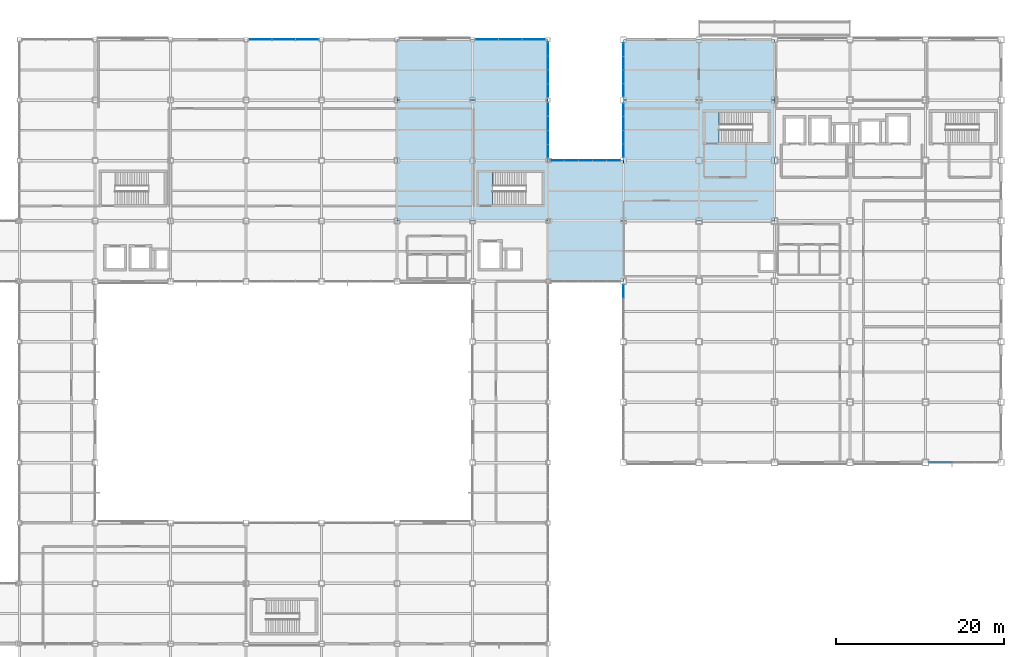
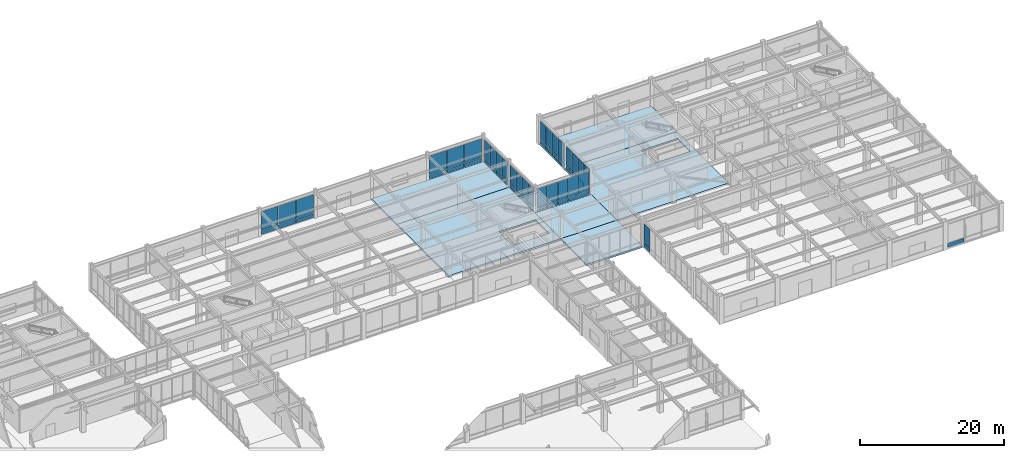
# One storey, part 85 of 112: 57 plates, 6 slabs, 9 elements without a shape of their own.
"""IFC4 building model written with IfcOpenShell, lengths in metres."""

from ifc_helpers import new_model, si_unit, direction, frame, origin, origin_2d, place, context, subcontext, project, spatial, polyline, rectangle, outline, extrude, material, layer, layer_set, type_object, element, aggregate, save


model = new_model("IFC4")

# Units and contexts
model_context = context("Model", 3, precision=1e-05, world=origin(), true_north=direction((0.0, 1.0)))
body_context = subcontext(model_context, "Body", "Model", "MODEL_VIEW")
ifc_project = project(units=[si_unit("LENGTHUNIT", "METRE"), si_unit("AREAUNIT", "SQUARE_METRE"), si_unit("VOLUMEUNIT", "CUBIC_METRE"), si_unit("PLANEANGLEUNIT", "RADIAN"), si_unit("MASSUNIT", "GRAM", prefix="KILO")], contexts=[model_context])

# Site, building, storey
site_placement = place(None, origin())
site = spatial("IfcSite", under=ifc_project, at=site_placement, CompositionType="ELEMENT")
building_placement = place(site_placement, origin())
building = spatial("IfcBuilding", under=site, at=building_placement, Name="Kazanami Central Library", CompositionType="ELEMENT")
storey_placement = place(building_placement, origin())
storey = spatial("IfcBuildingStorey", under=building, at=storey_placement, Name="L01", CompositionType="ELEMENT", Elevation=0.0)

# Curtain wall, plates
ifc_material_1 = material(Name="Acid-Etched Low-E Laminated Glass", Category="glass")
curtain_wall_type_1 = type_object("IfcCurtainWallType", Name="CW-8500x4055-M275", PredefinedType="USERDEFINED", material=ifc_material_1)
curtain_wall_1_placement = place(storey_placement, origin())
curtain_wall_1 = element("IfcCurtainWall", 1, at=curtain_wall_1_placement, inside=storey, type_object=curtain_wall_type_1, Name="Unitised Curtain Wall CW-07 L01 N-O-08", ObjectType="UNITISED CURTAIN WALL", PredefinedType="USERDEFINED")
ifc_layer_1 = layer(ifc_material_1, 0.035888671875, Name="Acid-Etched Low-E Laminated Glass")
ifc_layer_set_1 = layer_set([ifc_layer_1], Name="Acid-Etched Low-E Laminated Glass")
plate_type_1 = type_object("IfcPlateType", Name="PLT-CW-P1", PredefinedType="CURTAIN_PANEL", material=ifc_layer_set_1)
plate_1_placement = place(storey_placement, frame((79.31591796875, 93.60009765625, 0.81494140625), z_axis=(0.0, 0.0, 1.0), x_axis=(-1.0, 0.0, 0.0)))
plate_1 = element("IfcPlate", 2, at=plate_1_placement, type_object=plate_type_1, Name="CW-07 panel 1.2", PredefinedType="CURTAIN_PANEL", context=body_context, shape_type="SweptSolid", body=[
    extrude(rectangle(XDim=2.728271484375, YDim=0.035888671875, at=origin_2d()), origin(), (0.0, 0.0, 1.0), 3.169921875),
])
plate_2_placement = place(storey_placement, frame((76.5, 93.60009765625, 0.81494140625), z_axis=(0.0, 0.0, 1.0), x_axis=(-1.0, 0.0, 0.0)))
plate_2 = element("IfcPlate", 3, at=plate_2_placement, type_object=plate_type_1, Name="CW-07 panel 2.2", PredefinedType="CURTAIN_PANEL", context=body_context, shape_type="SweptSolid", body=[
    extrude(rectangle(XDim=2.763427734375, YDim=0.035888671875, at=origin_2d()), origin(), (0.0, 0.0, 1.0), 3.169921875),
])
plate_3_placement = place(storey_placement, frame((73.68408203125, 93.60009765625, 0.81494140625), z_axis=(0.0, 0.0, 1.0), x_axis=(-1.0, 0.0, 0.0)))
plate_3 = element("IfcPlate", 4, at=plate_3_placement, type_object=plate_type_1, Name="CW-07 panel 3.2", PredefinedType="CURTAIN_PANEL", context=body_context, shape_type="SweptSolid", body=[
    extrude(rectangle(XDim=2.728271484375, YDim=0.035888671875, at=origin_2d()), origin(), (0.0, 0.0, 1.0), 3.169921875),
])

curtain_wall_2_placement = place(storey_placement, origin())
curtain_wall_2 = element("IfcCurtainWall", 5, at=curtain_wall_2_placement, inside=storey, type_object=curtain_wall_type_1, Name="Unitised Curtain Wall CW-07 L01 N-O-11", ObjectType="UNITISED CURTAIN WALL", PredefinedType="USERDEFINED")
ifc_layer_2 = layer(ifc_material_1, 0.0439453125, Name="Acid-Etched Low-E Laminated Glass")
ifc_layer_set_2 = layer_set([ifc_layer_2], Name="Acid-Etched Low-E Laminated Glass")
plate_type_2 = type_object("IfcPlateType", Name="PLT-CW-P2", PredefinedType="CURTAIN_PANEL", material=ifc_layer_set_2)
plate_4_placement = place(storey_placement, frame((106.31591796875, 93.60009765625, 0.81494140625), z_axis=(0.0, 0.0, 1.0), x_axis=(-1.0, 0.0, 0.0)))
plate_4 = element("IfcPlate", 6, at=plate_4_placement, type_object=plate_type_2, Name="CW-07 panel 1.2", PredefinedType="CURTAIN_PANEL", context=body_context, shape_type="SweptSolid", body=[
    extrude(rectangle(XDim=2.728271484375, YDim=0.0439453125, at=origin_2d()), origin(), (0.0, 0.0, 1.0), 3.169921875),
])
plate_5_placement = place(storey_placement, frame((103.5, 93.60009765625, 0.81494140625), z_axis=(0.0, 0.0, 1.0), x_axis=(-1.0, 0.0, 0.0)))
plate_5 = element("IfcPlate", 7, at=plate_5_placement, type_object=plate_type_2, Name="CW-07 panel 2.2", PredefinedType="CURTAIN_PANEL", context=body_context, shape_type="SweptSolid", body=[
    extrude(rectangle(XDim=2.763427734375, YDim=0.0439453125, at=origin_2d()), origin(), (0.0, 0.0, 1.0), 3.169921875),
])
plate_6_placement = place(storey_placement, frame((100.68408203125, 93.60009765625, 0.81494140625), z_axis=(0.0, 0.0, 1.0), x_axis=(-1.0, 0.0, 0.0)))
plate_6 = element("IfcPlate", 8, at=plate_6_placement, type_object=plate_type_2, Name="CW-07 panel 3.2", PredefinedType="CURTAIN_PANEL", context=body_context, shape_type="SweptSolid", body=[
    extrude(rectangle(XDim=2.728271484375, YDim=0.0439453125, at=origin_2d()), origin(), (0.0, 0.0, 1.0), 3.169921875),
])

curtain_wall_type_2 = type_object("IfcCurtainWallType", Name="CW-8400x4055-M180", PredefinedType="USERDEFINED", material=ifc_material_1)
curtain_wall_3_placement = place(storey_placement, origin())
curtain_wall_3 = element("IfcCurtainWall", 9, at=curtain_wall_3_placement, inside=storey, type_object=curtain_wall_type_2, Name="Covered Link Bridge Curtain Wall CW-06 L01 N-M-12", ObjectType="UNITISED CURTAIN WALL", PredefinedType="USERDEFINED")
ifc_material_2 = material(Name="Low-E Insulated Triple Glass", Category="glass")
ifc_layer_3 = layer(ifc_material_2, 0.0400390625, Name="Low-E Insulated Triple Glass")
ifc_layer_set_3 = layer_set([ifc_layer_3], Name="Low-E Insulated Triple Glass")
plate_type_3 = type_object("IfcPlateType", Name="PLT-CW-P3", PredefinedType="CURTAIN_PANEL", material=ifc_layer_set_3)
plate_7_placement = place(storey_placement, frame((115.794921875, 79.199951171875, 0.81005859375), z_axis=(0.0, 0.0, 1.0), x_axis=(-1.0, 0.0, 0.0)))
plate_7 = element("IfcPlate", 10, at=plate_7_placement, type_object=plate_type_3, Name="CW-06 panel 1.2", PredefinedType="CURTAIN_PANEL", context=body_context, shape_type="SweptSolid", body=[
    extrude(rectangle(XDim=1.590087890625, YDim=0.0400390625, at=origin_2d()), origin(), (0.0, 0.0, 1.0), 3.18505859375),
])
plate_8_placement = place(storey_placement, frame((114.1298828125, 79.199951171875, 0.81005859375), z_axis=(0.0, 0.0, 1.0), x_axis=(-1.0, 0.0, 0.0)))
plate_8 = element("IfcPlate", 11, at=plate_8_placement, type_object=plate_type_3, Name="CW-06 panel 2.2", PredefinedType="CURTAIN_PANEL", context=body_context, shape_type="SweptSolid", body=[
    extrude(rectangle(XDim=1.6201171875, YDim=0.0400390625, at=origin_2d()), origin(), (0.0, 0.0, 1.0), 3.18505859375),
])
plate_9_placement = place(storey_placement, frame((112.449951171875, 79.199951171875, 0.81005859375), z_axis=(0.0, 0.0, 1.0), x_axis=(-1.0, 0.0, 0.0)))
plate_9 = element("IfcPlate", 12, at=plate_9_placement, type_object=plate_type_3, Name="CW-06 panel 3.2", PredefinedType="CURTAIN_PANEL", context=body_context, shape_type="SweptSolid", body=[
    extrude(rectangle(XDim=1.6201171875, YDim=0.0400390625, at=origin_2d()), origin(), (0.0, 0.0, 1.0), 3.18505859375),
])
plate_10_placement = place(storey_placement, frame((110.77001953125, 79.199951171875, 0.81005859375), z_axis=(0.0, 0.0, 1.0), x_axis=(-1.0, 0.0, 0.0)))
plate_10 = element("IfcPlate", 13, at=plate_10_placement, type_object=plate_type_3, Name="CW-06 panel 4.2", PredefinedType="CURTAIN_PANEL", context=body_context, shape_type="SweptSolid", body=[
    extrude(rectangle(XDim=1.6201171875, YDim=0.0400390625, at=origin_2d()), origin(), (0.0, 0.0, 1.0), 3.18505859375),
])
plate_11_placement = place(storey_placement, frame((109.10498046875, 79.199951171875, 0.81005859375), z_axis=(0.0, 0.0, 1.0), x_axis=(-1.0, 0.0, 0.0)))
plate_11 = element("IfcPlate", 14, at=plate_11_placement, type_object=plate_type_3, Name="CW-06 panel 5.2", PredefinedType="CURTAIN_PANEL", context=body_context, shape_type="SweptSolid", body=[
    extrude(rectangle(XDim=1.590087890625, YDim=0.0400390625, at=origin_2d()), origin(), (0.0, 0.0, 1.0), 3.18505859375),
])

curtain_wall_type_3 = type_object("IfcCurtainWallType", Name="CW-6700x4055-M180", PredefinedType="USERDEFINED", material=ifc_material_1)
curtain_wall_4_placement = place(storey_placement, origin())
curtain_wall_4 = element("IfcCurtainWall", 15, at=curtain_wall_4_placement, inside=storey, type_object=curtain_wall_type_3, Name="Covered Link Bridge Curtain Wall CW-09 L01 E-13-11", ObjectType="UNITISED CURTAIN WALL", PredefinedType="USERDEFINED")
plate_12_placement = place(storey_placement, frame((108.0, 85.294921875, 0.81494140625), z_axis=(0.0, 0.0, 1.0), x_axis=(0.0, -1.0, 0.0)))
plate_12 = element("IfcPlate", 16, at=plate_12_placement, type_object=plate_type_3, Name="CW-09 panel 1.2", PredefinedType="CURTAIN_PANEL", context=body_context, shape_type="SweptSolid", body=[
    extrude(rectangle(XDim=1.570068359375, YDim=0.0400390625, at=origin_2d()), origin(), (0.0, 0.0, 1.0), 3.169921875),
])
plate_13_placement = place(storey_placement, frame((108.0, 83.637451171875, 0.81494140625), z_axis=(0.0, 0.0, 1.0), x_axis=(0.0, -1.0, 0.0)))
plate_13 = element("IfcPlate", 17, at=plate_13_placement, type_object=plate_type_3, Name="CW-09 panel 2.2", PredefinedType="CURTAIN_PANEL", context=body_context, shape_type="SweptSolid", body=[
    extrude(rectangle(XDim=1.60498046875, YDim=0.0400390625, at=origin_2d()), origin(), (0.0, 0.0, 1.0), 3.169921875),
])
plate_14_placement = place(storey_placement, frame((108.0, 81.96240234375, 0.81494140625), z_axis=(0.0, 0.0, 1.0), x_axis=(0.0, -1.0, 0.0)))
plate_14 = element("IfcPlate", 18, at=plate_14_placement, type_object=plate_type_3, Name="CW-09 panel 3.2", PredefinedType="CURTAIN_PANEL", context=body_context, shape_type="SweptSolid", body=[
    extrude(rectangle(XDim=1.60498046875, YDim=0.0400390625, at=origin_2d()), origin(), (0.0, 0.0, 1.0), 3.169921875),
])
plate_15_placement = place(storey_placement, frame((108.0, 80.304931640625, 0.81494140625), z_axis=(0.0, 0.0, 1.0), x_axis=(0.0, -1.0, 0.0)))
plate_15 = element("IfcPlate", 19, at=plate_15_placement, type_object=plate_type_3, Name="CW-09 panel 4.2", PredefinedType="CURTAIN_PANEL", context=body_context, shape_type="SweptSolid", body=[
    extrude(rectangle(XDim=1.570068359375, YDim=0.0400390625, at=origin_2d()), origin(), (0.0, 0.0, 1.0), 3.169921875),
])

curtain_wall_5_placement = place(storey_placement, origin())
curtain_wall_5 = element("IfcCurtainWall", 20, at=curtain_wall_5_placement, inside=storey, type_object=curtain_wall_type_3, Name="Covered Link Bridge Curtain Wall CW-09 L01 E-13-12", ObjectType="UNITISED CURTAIN WALL", PredefinedType="USERDEFINED")
plate_16_placement = place(storey_placement, frame((108.0, 92.4951171875, 0.81494140625), z_axis=(0.0, 0.0, 1.0), x_axis=(0.0, -1.0, 0.0)))
plate_16 = element("IfcPlate", 21, at=plate_16_placement, type_object=plate_type_3, Name="CW-09 panel 1.2", PredefinedType="CURTAIN_PANEL", context=body_context, shape_type="SweptSolid", body=[
    extrude(rectangle(XDim=1.570068359375, YDim=0.0400390625, at=origin_2d()), origin(), (0.0, 0.0, 1.0), 3.169921875),
])
plate_17_placement = place(storey_placement, frame((108.0, 90.83740234375, 0.81494140625), z_axis=(0.0, 0.0, 1.0), x_axis=(0.0, -1.0, 0.0)))
plate_17 = element("IfcPlate", 22, at=plate_17_placement, type_object=plate_type_3, Name="CW-09 panel 2.2", PredefinedType="CURTAIN_PANEL", context=body_context, shape_type="SweptSolid", body=[
    extrude(rectangle(XDim=1.60498046875, YDim=0.0400390625, at=origin_2d()), origin(), (0.0, 0.0, 1.0), 3.169921875),
])
plate_18_placement = place(storey_placement, frame((108.0, 89.16259765625, 0.81494140625), z_axis=(0.0, 0.0, 1.0), x_axis=(0.0, -1.0, 0.0)))
plate_18 = element("IfcPlate", 23, at=plate_18_placement, type_object=plate_type_3, Name="CW-09 panel 3.2", PredefinedType="CURTAIN_PANEL", context=body_context, shape_type="SweptSolid", body=[
    extrude(rectangle(XDim=1.60498046875, YDim=0.0400390625, at=origin_2d()), origin(), (0.0, 0.0, 1.0), 3.169921875),
])
plate_19_placement = place(storey_placement, frame((108.0, 87.5048828125, 0.81494140625), z_axis=(0.0, 0.0, 1.0), x_axis=(0.0, -1.0, 0.0)))
plate_19 = element("IfcPlate", 24, at=plate_19_placement, type_object=plate_type_3, Name="CW-09 panel 4.2", PredefinedType="CURTAIN_PANEL", context=body_context, shape_type="SweptSolid", body=[
    extrude(rectangle(XDim=1.570068359375, YDim=0.0400390625, at=origin_2d()), origin(), (0.0, 0.0, 1.0), 3.169921875),
])

# Curtain wall, plate
curtain_wall_type_4 = type_object("IfcCurtainWallType", Name="CW-6500x4055-M180", PredefinedType="USERDEFINED", material=ifc_material_1)
curtain_wall_6_placement = place(storey_placement, origin())
curtain_wall_6 = element("IfcCurtainWall", 25, at=curtain_wall_6_placement, inside=storey, type_object=curtain_wall_type_4, Name="Covered Link Bridge Curtain Wall CW-11 L01 W-14-08", ObjectType="UNITISED CURTAIN WALL", PredefinedType="USERDEFINED")
plate_20_placement = place(storey_placement, frame((117.0, 63.62255859375, 0.81005859375), z_axis=(0.0, 0.0, 1.0), x_axis=(0.0, 1.0, 0.0)))
plate_20 = element("IfcPlate", 26, at=plate_20_placement, type_object=plate_type_3, Name="CW-11 panel 4.2", PredefinedType="CURTAIN_PANEL", context=body_context, shape_type="SweptSolid", body=[
    extrude(rectangle(XDim=1.534912109375, YDim=0.0400390625, at=origin_2d()), origin(), (0.0, 0.0, 1.0), 3.18505859375),
])

# Curtain wall, plates
curtain_wall_7_placement = place(storey_placement, origin())
curtain_wall_7 = element("IfcCurtainWall", 27, at=curtain_wall_7_placement, inside=storey, type_object=curtain_wall_type_4, Name="Covered Link Bridge Curtain Wall CW-11 L01 W-14-11", ObjectType="UNITISED CURTAIN WALL", PredefinedType="USERDEFINED")
plate_21_placement = place(storey_placement, frame((117.0, 80.37744140625, 0.81005859375), z_axis=(0.0, 0.0, 1.0), x_axis=(0.0, 1.0, 0.0)))
plate_21 = element("IfcPlate", 28, at=plate_21_placement, type_object=plate_type_3, Name="CW-11 panel 1.2", PredefinedType="CURTAIN_PANEL", context=body_context, shape_type="SweptSolid", body=[
    extrude(rectangle(XDim=1.534912109375, YDim=0.0400390625, at=origin_2d()), origin(), (0.0, 0.0, 1.0), 3.18505859375),
])
plate_22_placement = place(storey_placement, frame((117.0, 81.987548828125, 0.81005859375), z_axis=(0.0, 0.0, 1.0), x_axis=(0.0, 1.0, 0.0)))
plate_22 = element("IfcPlate", 29, at=plate_22_placement, type_object=plate_type_3, Name="CW-11 panel 2.2", PredefinedType="CURTAIN_PANEL", context=body_context, shape_type="SweptSolid", body=[
    extrude(rectangle(XDim=1.56494140625, YDim=0.0400390625, at=origin_2d()), origin(), (0.0, 0.0, 1.0), 3.18505859375),
])
plate_23_placement = place(storey_placement, frame((117.0, 83.612548828125, 0.81005859375), z_axis=(0.0, 0.0, 1.0), x_axis=(0.0, 1.0, 0.0)))
plate_23 = element("IfcPlate", 30, at=plate_23_placement, type_object=plate_type_3, Name="CW-11 panel 3.2", PredefinedType="CURTAIN_PANEL", context=body_context, shape_type="SweptSolid", body=[
    extrude(rectangle(XDim=1.56494140625, YDim=0.0400390625, at=origin_2d()), origin(), (0.0, 0.0, 1.0), 3.18505859375),
])
plate_24_placement = place(storey_placement, frame((117.0, 85.222412109375, 0.81005859375), z_axis=(0.0, 0.0, 1.0), x_axis=(0.0, 1.0, 0.0)))
plate_24 = element("IfcPlate", 31, at=plate_24_placement, type_object=plate_type_3, Name="CW-11 panel 4.2", PredefinedType="CURTAIN_PANEL", context=body_context, shape_type="SweptSolid", body=[
    extrude(rectangle(XDim=1.534912109375, YDim=0.0400390625, at=origin_2d()), origin(), (0.0, 0.0, 1.0), 3.18505859375),
])

curtain_wall_8_placement = place(storey_placement, origin())
curtain_wall_8 = element("IfcCurtainWall", 32, at=curtain_wall_8_placement, inside=storey, type_object=curtain_wall_type_4, Name="Covered Link Bridge Curtain Wall CW-11 L01 W-14-12", ObjectType="UNITISED CURTAIN WALL", PredefinedType="USERDEFINED")
plate_25_placement = place(storey_placement, frame((117.0, 87.577392578125, 0.81005859375), z_axis=(0.0, 0.0, 1.0), x_axis=(0.0, 1.0, 0.0)))
plate_25 = element("IfcPlate", 33, at=plate_25_placement, type_object=plate_type_3, Name="CW-11 panel 1.2", PredefinedType="CURTAIN_PANEL", context=body_context, shape_type="SweptSolid", body=[
    extrude(rectangle(XDim=1.534912109375, YDim=0.0400390625, at=origin_2d()), origin(), (0.0, 0.0, 1.0), 3.18505859375),
])
plate_26_placement = place(storey_placement, frame((117.0, 89.1875, 0.81005859375), z_axis=(0.0, 0.0, 1.0), x_axis=(0.0, 1.0, 0.0)))
plate_26 = element("IfcPlate", 34, at=plate_26_placement, type_object=plate_type_3, Name="CW-11 panel 2.2", PredefinedType="CURTAIN_PANEL", context=body_context, shape_type="SweptSolid", body=[
    extrude(rectangle(XDim=1.56494140625, YDim=0.0400390625, at=origin_2d()), origin(), (0.0, 0.0, 1.0), 3.18505859375),
])
plate_27_placement = place(storey_placement, frame((117.0, 90.8125, 0.81005859375), z_axis=(0.0, 0.0, 1.0), x_axis=(0.0, 1.0, 0.0)))
plate_27 = element("IfcPlate", 35, at=plate_27_placement, type_object=plate_type_3, Name="CW-11 panel 3.2", PredefinedType="CURTAIN_PANEL", context=body_context, shape_type="SweptSolid", body=[
    extrude(rectangle(XDim=1.56494140625, YDim=0.0400390625, at=origin_2d()), origin(), (0.0, 0.0, 1.0), 3.18505859375),
])
plate_28_placement = place(storey_placement, frame((117.0, 92.422607421875, 0.81005859375), z_axis=(0.0, 0.0, 1.0), x_axis=(0.0, 1.0, 0.0)))
plate_28 = element("IfcPlate", 36, at=plate_28_placement, type_object=plate_type_3, Name="CW-11 panel 4.2", PredefinedType="CURTAIN_PANEL", context=body_context, shape_type="SweptSolid", body=[
    extrude(rectangle(XDim=1.534912109375, YDim=0.0400390625, at=origin_2d()), origin(), (0.0, 0.0, 1.0), 3.18505859375),
])

# Plate
ifc_material_3 = material(Name="Anodised Aluminium A5052-H32", Category="aluminium")
ifc_layer_4 = layer(ifc_material_3, 0.06005859375, Name="Anodised Aluminium A5052-H32")
ifc_layer_set_4 = layer_set([ifc_layer_4], Name="Anodised Aluminium A5052-H32")
plate_type_4 = type_object("IfcPlateType", Name="PLT-CW-SP1", PredefinedType="CURTAIN_PANEL", material=ifc_layer_set_4)
plate_29_placement = place(storey_placement, frame((79.31591796875, 93.60009765625, 0.06982421875), z_axis=(0.0, 0.0, 1.0), x_axis=(-1.0, 0.0, 0.0)))
plate_29 = element("IfcPlate", 37, at=plate_29_placement, type_object=plate_type_4, Name="CW-07 panel 1.1", PredefinedType="CURTAIN_PANEL", context=body_context, shape_type="SweptSolid", body=[
    extrude(rectangle(XDim=2.728271484375, YDim=0.06005859375, at=origin_2d()), origin(), (0.0, 0.0, 1.0), 0.675048828125),
])

plate_30_placement = place(storey_placement, frame((76.5, 93.60009765625, 0.06982421875), z_axis=(0.0, 0.0, 1.0), x_axis=(-1.0, 0.0, 0.0)))
plate_30 = element("IfcPlate", 38, at=plate_30_placement, type_object=plate_type_4, Name="CW-07 panel 2.1", PredefinedType="CURTAIN_PANEL", context=body_context, shape_type="SweptSolid", body=[
    extrude(rectangle(XDim=2.763427734375, YDim=0.06005859375, at=origin_2d()), origin(), (0.0, 0.0, 1.0), 0.675048828125),
])

plate_31_placement = place(storey_placement, frame((73.68408203125, 93.60009765625, 0.06982421875), z_axis=(0.0, 0.0, 1.0), x_axis=(-1.0, 0.0, 0.0)))
plate_31 = element("IfcPlate", 39, at=plate_31_placement, type_object=plate_type_4, Name="CW-07 panel 3.1", PredefinedType="CURTAIN_PANEL", context=body_context, shape_type="SweptSolid", body=[
    extrude(rectangle(XDim=2.728271484375, YDim=0.06005859375, at=origin_2d()), origin(), (0.0, 0.0, 1.0), 0.675048828125),
])

aggregate(curtain_wall_1, [plate_29, plate_1, plate_30, plate_2, plate_31, plate_3])

plate_32_placement = place(storey_placement, frame((106.31591796875, 93.60009765625, 0.06982421875), z_axis=(0.0, 0.0, 1.0), x_axis=(-1.0, 0.0, 0.0)))
plate_32 = element("IfcPlate", 40, at=plate_32_placement, type_object=plate_type_4, Name="CW-07 panel 1.1", PredefinedType="CURTAIN_PANEL", context=body_context, shape_type="SweptSolid", body=[
    extrude(rectangle(XDim=2.728271484375, YDim=0.06005859375, at=origin_2d()), origin(), (0.0, 0.0, 1.0), 0.675048828125),
])

plate_33_placement = place(storey_placement, frame((103.5, 93.60009765625, 0.06982421875), z_axis=(0.0, 0.0, 1.0), x_axis=(-1.0, 0.0, 0.0)))
plate_33 = element("IfcPlate", 41, at=plate_33_placement, type_object=plate_type_4, Name="CW-07 panel 2.1", PredefinedType="CURTAIN_PANEL", context=body_context, shape_type="SweptSolid", body=[
    extrude(rectangle(XDim=2.763427734375, YDim=0.06005859375, at=origin_2d()), origin(), (0.0, 0.0, 1.0), 0.675048828125),
])

plate_34_placement = place(storey_placement, frame((100.68408203125, 93.60009765625, 0.06982421875), z_axis=(0.0, 0.0, 1.0), x_axis=(-1.0, 0.0, 0.0)))
plate_34 = element("IfcPlate", 42, at=plate_34_placement, type_object=plate_type_4, Name="CW-07 panel 3.1", PredefinedType="CURTAIN_PANEL", context=body_context, shape_type="SweptSolid", body=[
    extrude(rectangle(XDim=2.728271484375, YDim=0.06005859375, at=origin_2d()), origin(), (0.0, 0.0, 1.0), 0.675048828125),
])

aggregate(curtain_wall_2, [plate_32, plate_4, plate_33, plate_5, plate_34, plate_6])

plate_35_placement = place(storey_placement, frame((108.0, 85.294921875, 0.06982421875), z_axis=(0.0, 0.0, 1.0), x_axis=(0.0, -1.0, 0.0)))
plate_35 = element("IfcPlate", 43, at=plate_35_placement, type_object=plate_type_4, Name="CW-09 panel 1.1", PredefinedType="CURTAIN_PANEL", context=body_context, shape_type="SweptSolid", body=[
    extrude(rectangle(XDim=1.570068359375, YDim=0.06005859375, at=origin_2d()), origin(), (0.0, 0.0, 1.0), 0.675048828125),
])

plate_36_placement = place(storey_placement, frame((108.0, 83.637451171875, 0.06982421875), z_axis=(0.0, 0.0, 1.0), x_axis=(0.0, -1.0, 0.0)))
plate_36 = element("IfcPlate", 44, at=plate_36_placement, type_object=plate_type_4, Name="CW-09 panel 2.1", PredefinedType="CURTAIN_PANEL", context=body_context, shape_type="SweptSolid", body=[
    extrude(rectangle(XDim=1.60498046875, YDim=0.06005859375, at=origin_2d()), origin(), (0.0, 0.0, 1.0), 0.675048828125),
])

plate_37_placement = place(storey_placement, frame((108.0, 81.96240234375, 0.06982421875), z_axis=(0.0, 0.0, 1.0), x_axis=(0.0, -1.0, 0.0)))
plate_37 = element("IfcPlate", 45, at=plate_37_placement, type_object=plate_type_4, Name="CW-09 panel 3.1", PredefinedType="CURTAIN_PANEL", context=body_context, shape_type="SweptSolid", body=[
    extrude(rectangle(XDim=1.60498046875, YDim=0.06005859375, at=origin_2d()), origin(), (0.0, 0.0, 1.0), 0.675048828125),
])

plate_38_placement = place(storey_placement, frame((108.0, 80.304931640625, 0.06982421875), z_axis=(0.0, 0.0, 1.0), x_axis=(0.0, -1.0, 0.0)))
plate_38 = element("IfcPlate", 46, at=plate_38_placement, type_object=plate_type_4, Name="CW-09 panel 4.1", PredefinedType="CURTAIN_PANEL", context=body_context, shape_type="SweptSolid", body=[
    extrude(rectangle(XDim=1.570068359375, YDim=0.06005859375, at=origin_2d()), origin(), (0.0, 0.0, 1.0), 0.675048828125),
])

aggregate(curtain_wall_4, [plate_35, plate_12, plate_36, plate_13, plate_37, plate_14, plate_38, plate_15])

plate_39_placement = place(storey_placement, frame((108.0, 92.4951171875, 0.06982421875), z_axis=(0.0, 0.0, 1.0), x_axis=(0.0, -1.0, 0.0)))
plate_39 = element("IfcPlate", 47, at=plate_39_placement, type_object=plate_type_4, Name="CW-09 panel 1.1", PredefinedType="CURTAIN_PANEL", context=body_context, shape_type="SweptSolid", body=[
    extrude(rectangle(XDim=1.570068359375, YDim=0.06005859375, at=origin_2d()), origin(), (0.0, 0.0, 1.0), 0.675048828125),
])

plate_40_placement = place(storey_placement, frame((108.0, 90.83740234375, 0.06982421875), z_axis=(0.0, 0.0, 1.0), x_axis=(0.0, -1.0, 0.0)))
plate_40 = element("IfcPlate", 48, at=plate_40_placement, type_object=plate_type_4, Name="CW-09 panel 2.1", PredefinedType="CURTAIN_PANEL", context=body_context, shape_type="SweptSolid", body=[
    extrude(rectangle(XDim=1.60498046875, YDim=0.06005859375, at=origin_2d()), origin(), (0.0, 0.0, 1.0), 0.675048828125),
])

plate_41_placement = place(storey_placement, frame((108.0, 89.16259765625, 0.06982421875), z_axis=(0.0, 0.0, 1.0), x_axis=(0.0, -1.0, 0.0)))
plate_41 = element("IfcPlate", 49, at=plate_41_placement, type_object=plate_type_4, Name="CW-09 panel 3.1", PredefinedType="CURTAIN_PANEL", context=body_context, shape_type="SweptSolid", body=[
    extrude(rectangle(XDim=1.60498046875, YDim=0.06005859375, at=origin_2d()), origin(), (0.0, 0.0, 1.0), 0.675048828125),
])

plate_42_placement = place(storey_placement, frame((108.0, 87.5048828125, 0.06982421875), z_axis=(0.0, 0.0, 1.0), x_axis=(0.0, -1.0, 0.0)))
plate_42 = element("IfcPlate", 50, at=plate_42_placement, type_object=plate_type_4, Name="CW-09 panel 4.1", PredefinedType="CURTAIN_PANEL", context=body_context, shape_type="SweptSolid", body=[
    extrude(rectangle(XDim=1.570068359375, YDim=0.06005859375, at=origin_2d()), origin(), (0.0, 0.0, 1.0), 0.675048828125),
])

aggregate(curtain_wall_5, [plate_39, plate_16, plate_40, plate_17, plate_41, plate_18, plate_42, plate_19])

# Curtain wall, plate
curtain_wall_type_5 = type_object("IfcCurtainWallType", Name="CW-8275x4055-M275", PredefinedType="USERDEFINED", material=ifc_material_1)
curtain_wall_9_placement = place(storey_placement, origin())
curtain_wall_9 = element("IfcCurtainWall", 51, at=curtain_wall_9_placement, inside=storey, type_object=curtain_wall_type_5, Name="Unitised Curtain Wall CW-04 L01 S-G-17", ObjectType="UNITISED CURTAIN WALL", PredefinedType="USERDEFINED")
ifc_layer_5 = layer(ifc_material_3, 0.052001953125, Name="Anodised Aluminium A5052-H32")
ifc_layer_set_5 = layer_set([ifc_layer_5], Name="Anodised Aluminium A5052-H32")
plate_type_5 = type_object("IfcPlateType", Name="PLT-CW-SP2", PredefinedType="CURTAIN_PANEL", material=ifc_layer_set_5)
plate_43_placement = place(storey_placement, frame((154.7705078125, 43.199951171875, 0.06494140625), z_axis=(0.0, 0.0, 1.0), x_axis=(1.0, 0.0, 0.0)))
plate_43 = element("IfcPlate", 52, at=plate_43_placement, type_object=plate_type_5, Name="CW-04 panel 1.1", PredefinedType="CURTAIN_PANEL", context=body_context, shape_type="SweptSolid", body=[
    extrude(rectangle(XDim=2.660888671875, YDim=0.052001953125, at=origin_2d()), origin(), (0.0, 0.0, 1.0), 0.6826171875),
])
aggregate(curtain_wall_9, [plate_43])

# Plate
plate_44_placement = place(storey_placement, frame((115.794921875, 79.199951171875, 0.06005859375), z_axis=(0.0, 0.0, 1.0), x_axis=(-1.0, 0.0, 0.0)))
plate_44 = element("IfcPlate", 53, at=plate_44_placement, type_object=plate_type_5, Name="CW-06 panel 1.1", PredefinedType="CURTAIN_PANEL", context=body_context, shape_type="SweptSolid", body=[
    extrude(rectangle(XDim=1.590087890625, YDim=0.052001953125, at=origin_2d()), origin(), (0.0, 0.0, 1.0), 0.68994140625),
])

plate_45_placement = place(storey_placement, frame((114.1298828125, 79.199951171875, 0.06005859375), z_axis=(0.0, 0.0, 1.0), x_axis=(-1.0, 0.0, 0.0)))
plate_45 = element("IfcPlate", 54, at=plate_45_placement, type_object=plate_type_5, Name="CW-06 panel 2.1", PredefinedType="CURTAIN_PANEL", context=body_context, shape_type="SweptSolid", body=[
    extrude(rectangle(XDim=1.6201171875, YDim=0.052001953125, at=origin_2d()), origin(), (0.0, 0.0, 1.0), 0.68994140625),
])

plate_46_placement = place(storey_placement, frame((112.449951171875, 79.199951171875, 0.06005859375), z_axis=(0.0, 0.0, 1.0), x_axis=(-1.0, 0.0, 0.0)))
plate_46 = element("IfcPlate", 55, at=plate_46_placement, type_object=plate_type_5, Name="CW-06 panel 3.1", PredefinedType="CURTAIN_PANEL", context=body_context, shape_type="SweptSolid", body=[
    extrude(rectangle(XDim=1.6201171875, YDim=0.052001953125, at=origin_2d()), origin(), (0.0, 0.0, 1.0), 0.68994140625),
])

plate_47_placement = place(storey_placement, frame((110.77001953125, 79.199951171875, 0.06005859375), z_axis=(0.0, 0.0, 1.0), x_axis=(-1.0, 0.0, 0.0)))
plate_47 = element("IfcPlate", 56, at=plate_47_placement, type_object=plate_type_5, Name="CW-06 panel 4.1", PredefinedType="CURTAIN_PANEL", context=body_context, shape_type="SweptSolid", body=[
    extrude(rectangle(XDim=1.6201171875, YDim=0.052001953125, at=origin_2d()), origin(), (0.0, 0.0, 1.0), 0.68994140625),
])

plate_48_placement = place(storey_placement, frame((109.10498046875, 79.199951171875, 0.06005859375), z_axis=(0.0, 0.0, 1.0), x_axis=(-1.0, 0.0, 0.0)))
plate_48 = element("IfcPlate", 57, at=plate_48_placement, type_object=plate_type_5, Name="CW-06 panel 5.1", PredefinedType="CURTAIN_PANEL", context=body_context, shape_type="SweptSolid", body=[
    extrude(rectangle(XDim=1.590087890625, YDim=0.052001953125, at=origin_2d()), origin(), (0.0, 0.0, 1.0), 0.68994140625),
])

aggregate(curtain_wall_3, [plate_44, plate_7, plate_45, plate_8, plate_46, plate_9, plate_47, plate_10, plate_48, plate_11])

plate_49_placement = place(storey_placement, frame((117.0, 63.62255859375, 0.06005859375), z_axis=(0.0, 0.0, 1.0), x_axis=(0.0, 1.0, 0.0)))
plate_49 = element("IfcPlate", 58, at=plate_49_placement, type_object=plate_type_5, Name="CW-11 panel 4.1", PredefinedType="CURTAIN_PANEL", context=body_context, shape_type="SweptSolid", body=[
    extrude(rectangle(XDim=1.534912109375, YDim=0.052001953125, at=origin_2d()), origin(), (0.0, 0.0, 1.0), 0.68994140625),
])

aggregate(curtain_wall_6, [plate_49, plate_20])

plate_50_placement = place(storey_placement, frame((117.0, 80.37744140625, 0.06005859375), z_axis=(0.0, 0.0, 1.0), x_axis=(0.0, 1.0, 0.0)))
plate_50 = element("IfcPlate", 59, at=plate_50_placement, type_object=plate_type_5, Name="CW-11 panel 1.1", PredefinedType="CURTAIN_PANEL", context=body_context, shape_type="SweptSolid", body=[
    extrude(rectangle(XDim=1.534912109375, YDim=0.052001953125, at=origin_2d()), origin(), (0.0, 0.0, 1.0), 0.68994140625),
])

plate_51_placement = place(storey_placement, frame((117.0, 81.987548828125, 0.06005859375), z_axis=(0.0, 0.0, 1.0), x_axis=(0.0, 1.0, 0.0)))
plate_51 = element("IfcPlate", 60, at=plate_51_placement, type_object=plate_type_5, Name="CW-11 panel 2.1", PredefinedType="CURTAIN_PANEL", context=body_context, shape_type="SweptSolid", body=[
    extrude(rectangle(XDim=1.56494140625, YDim=0.052001953125, at=origin_2d()), origin(), (0.0, 0.0, 1.0), 0.68994140625),
])

plate_52_placement = place(storey_placement, frame((117.0, 83.612548828125, 0.06005859375), z_axis=(0.0, 0.0, 1.0), x_axis=(0.0, 1.0, 0.0)))
plate_52 = element("IfcPlate", 61, at=plate_52_placement, type_object=plate_type_5, Name="CW-11 panel 3.1", PredefinedType="CURTAIN_PANEL", context=body_context, shape_type="SweptSolid", body=[
    extrude(rectangle(XDim=1.56494140625, YDim=0.052001953125, at=origin_2d()), origin(), (0.0, 0.0, 1.0), 0.68994140625),
])

plate_53_placement = place(storey_placement, frame((117.0, 85.222412109375, 0.06005859375), z_axis=(0.0, 0.0, 1.0), x_axis=(0.0, 1.0, 0.0)))
plate_53 = element("IfcPlate", 62, at=plate_53_placement, type_object=plate_type_5, Name="CW-11 panel 4.1", PredefinedType="CURTAIN_PANEL", context=body_context, shape_type="SweptSolid", body=[
    extrude(rectangle(XDim=1.534912109375, YDim=0.052001953125, at=origin_2d()), origin(), (0.0, 0.0, 1.0), 0.68994140625),
])

aggregate(curtain_wall_7, [plate_50, plate_21, plate_51, plate_22, plate_52, plate_23, plate_53, plate_24])

plate_54_placement = place(storey_placement, frame((117.0, 87.577392578125, 0.06005859375), z_axis=(0.0, 0.0, 1.0), x_axis=(0.0, 1.0, 0.0)))
plate_54 = element("IfcPlate", 63, at=plate_54_placement, type_object=plate_type_5, Name="CW-11 panel 1.1", PredefinedType="CURTAIN_PANEL", context=body_context, shape_type="SweptSolid", body=[
    extrude(rectangle(XDim=1.534912109375, YDim=0.052001953125, at=origin_2d()), origin(), (0.0, 0.0, 1.0), 0.68994140625),
])

plate_55_placement = place(storey_placement, frame((117.0, 89.1875, 0.06005859375), z_axis=(0.0, 0.0, 1.0), x_axis=(0.0, 1.0, 0.0)))
plate_55 = element("IfcPlate", 64, at=plate_55_placement, type_object=plate_type_5, Name="CW-11 panel 2.1", PredefinedType="CURTAIN_PANEL", context=body_context, shape_type="SweptSolid", body=[
    extrude(rectangle(XDim=1.56494140625, YDim=0.052001953125, at=origin_2d()), origin(), (0.0, 0.0, 1.0), 0.68994140625),
])

plate_56_placement = place(storey_placement, frame((117.0, 90.8125, 0.06005859375), z_axis=(0.0, 0.0, 1.0), x_axis=(0.0, 1.0, 0.0)))
plate_56 = element("IfcPlate", 65, at=plate_56_placement, type_object=plate_type_5, Name="CW-11 panel 3.1", PredefinedType="CURTAIN_PANEL", context=body_context, shape_type="SweptSolid", body=[
    extrude(rectangle(XDim=1.56494140625, YDim=0.052001953125, at=origin_2d()), origin(), (0.0, 0.0, 1.0), 0.68994140625),
])

plate_57_placement = place(storey_placement, frame((117.0, 92.422607421875, 0.06005859375), z_axis=(0.0, 0.0, 1.0), x_axis=(0.0, 1.0, 0.0)))
plate_57 = element("IfcPlate", 66, at=plate_57_placement, type_object=plate_type_5, Name="CW-11 panel 4.1", PredefinedType="CURTAIN_PANEL", context=body_context, shape_type="SweptSolid", body=[
    extrude(rectangle(XDim=1.534912109375, YDim=0.052001953125, at=origin_2d()), origin(), (0.0, 0.0, 1.0), 0.68994140625),
])

aggregate(curtain_wall_8, [plate_54, plate_25, plate_55, plate_26, plate_56, plate_27, plate_57, plate_28])

# Slabs
ifc_material_4 = material(Name="Concrete Fc36 (36 MPa)", Category="concrete")
ifc_layer_6 = layer(ifc_material_4, 0.27490234375, Name="Concrete Fc36 (36 MPa)")
ifc_layer_set_6 = layer_set([ifc_layer_6], Name="Concrete Fc36 (36 MPa)")
slab_type = type_object("IfcSlabType", Name="SLB-FLR-275", PredefinedType="FLOOR", material=ifc_layer_set_6)
slab_1_placement = place(storey_placement, frame((0.0, 0.0, -0.27490234375)))
element("IfcSlab", 67, at=slab_1_placement, inside=storey, type_object=slab_type, Name="Composite Floor Slab L01 V1-NORTH Zone 27", PredefinedType="FLOOR", context=body_context, shape_type="SweptSolid", body=[
    extrude(outline(polyline([(90.0, 72.0), (108.0, 72.0), (108.0, 86.39990234375), (90.0, 86.39990234375), (90.0, 72.0)]), holes=[polyline([(101.39990234375, 73.949951171875), (107.25, 73.949951171875), (107.25, 77.75), (101.39990234375, 77.75), (101.39990234375, 73.949951171875)])]), origin(), (0.0, 0.0, 1.0), 0.27490234375),
])
slab_2_placement = place(storey_placement, frame((0.0, 0.0, -0.27490234375)))
element("IfcSlab", 68, at=slab_2_placement, inside=storey, type_object=slab_type, Name="Composite Floor Slab L01 V1-NORTH Zone 28", PredefinedType="FLOOR", context=body_context, shape_type="SweptSolid", body=[
    extrude(outline(polyline([(90.0, 86.39990234375), (108.0, 86.39990234375), (108.0, 93.60009765625), (90.0, 93.60009765625), (90.0, 86.39990234375)])), origin(), (0.0, 0.0, 1.0), 0.27490234375),
])
slab_3_placement = place(storey_placement, frame((0.0, 0.0, -0.27490234375)))
element("IfcSlab", 69, at=slab_3_placement, inside=storey, type_object=slab_type, Name="Covered Seismic-Joint Link Bridge Slab L01 BRG-EAST", PredefinedType="FLOOR", context=body_context, shape_type="SweptSolid", body=[
    extrude(outline(polyline([(108.0, 64.800048828125), (117.0, 64.800048828125), (117.0, 72.0), (108.0, 72.0), (108.0, 64.800048828125)])), origin(), (0.0, 0.0, 1.0), 0.27490234375),
])
slab_4_placement = place(storey_placement, frame((0.0, 0.0, -0.27490234375)))
element("IfcSlab", 70, at=slab_4_placement, inside=storey, type_object=slab_type, Name="Covered Seismic-Joint Link Bridge Slab L01 BRG-EAST", PredefinedType="FLOOR", context=body_context, shape_type="SweptSolid", body=[
    extrude(outline(polyline([(108.0, 72.0), (117.0, 72.0), (117.0, 79.199951171875), (108.0, 79.199951171875), (108.0, 72.0)])), origin(), (0.0, 0.0, 1.0), 0.27490234375),
])
slab_5_placement = place(storey_placement, frame((0.0, 0.0, -0.27490234375)))
element("IfcSlab", 71, at=slab_5_placement, inside=storey, type_object=slab_type, Name="Composite Floor Slab L01 V2-MAIN Zone 33", PredefinedType="FLOOR", context=body_context, shape_type="SweptSolid", body=[
    extrude(outline(polyline([(117.0, 72.0), (135.0, 72.0), (135.0, 86.39990234375), (117.0, 86.39990234375), (117.0, 72.0)]), holes=[polyline([(128.39990234375, 81.375), (134.22509765625, 81.375), (134.22509765625, 84.925048828125), (128.39990234375, 84.925048828125), (128.39990234375, 81.375)])]), origin(), (0.0, 0.0, 1.0), 0.27490234375),
])
slab_6_placement = place(storey_placement, frame((0.0, 0.0, -0.27490234375)))
element("IfcSlab", 72, at=slab_6_placement, inside=storey, type_object=slab_type, Name="Composite Floor Slab L01 V2-MAIN Zone 34", PredefinedType="FLOOR", context=body_context, shape_type="SweptSolid", body=[
    extrude(outline(polyline([(117.0, 86.39990234375), (135.0, 86.39990234375), (135.0, 93.60009765625), (117.0, 93.60009765625), (117.0, 86.39990234375)])), origin(), (0.0, 0.0, 1.0), 0.27490234375),
])

save(model, "model.ifc")
